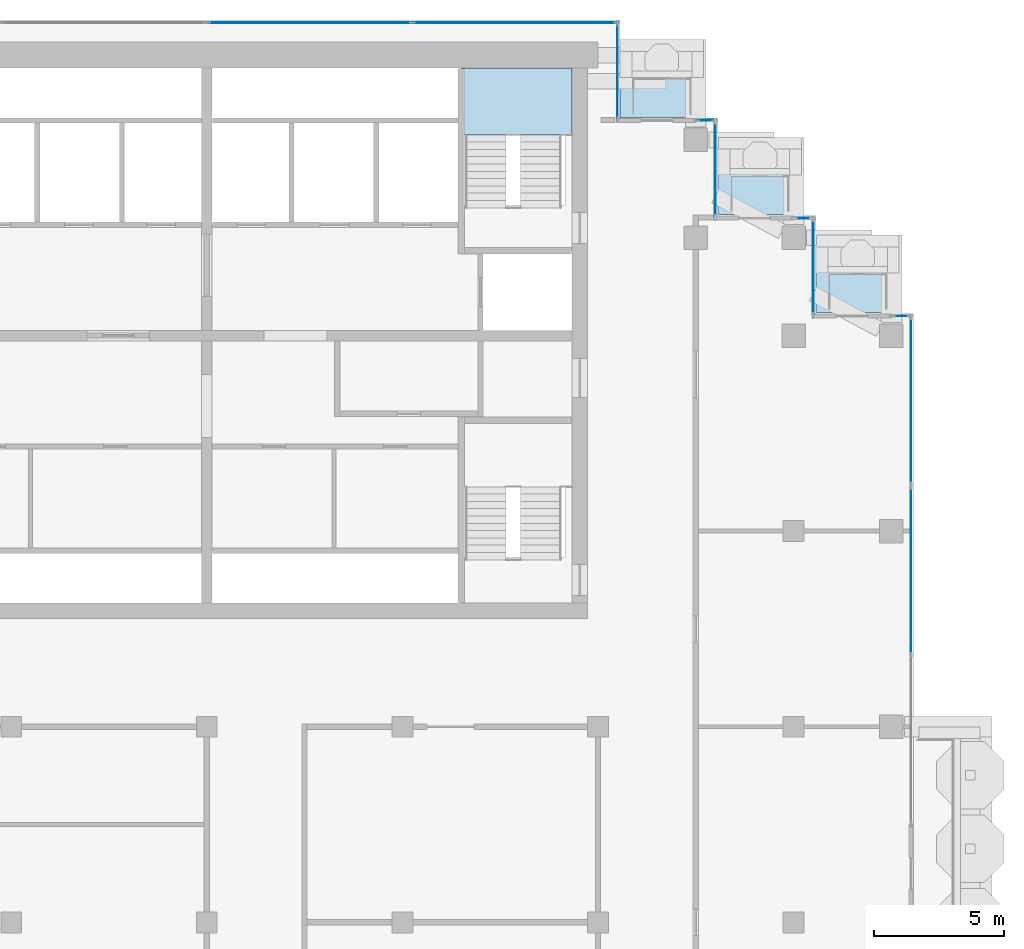
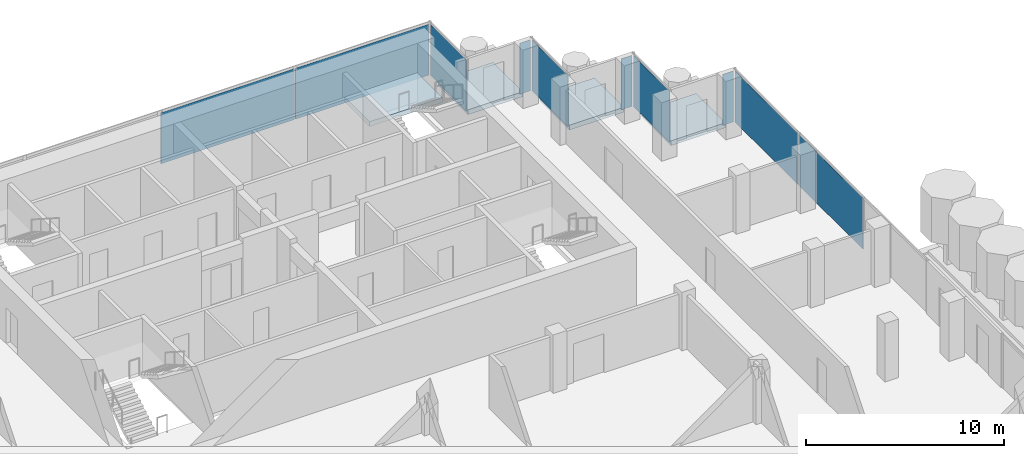
# One storey, part 10 of 18: 10 plates, 4 slabs, 10 elements without a shape of their own.
"""IFC4 building model written with IfcOpenShell, lengths in metres."""

from ifc_helpers import new_model, si_unit, direction, frame, origin, origin_2d, place, context, subcontext, project, spatial, polyline, rectangle, outline, extrude, material, layer, layer_set, type_object, element, aggregate, save


model = new_model("IFC4")

# Units and contexts
model_context = context("Model", 3, precision=1e-05, world=origin(), true_north=direction((0.0, 1.0)))
body_context = subcontext(model_context, "Body", "Model", "MODEL_VIEW")
ifc_project = project(units=[si_unit("LENGTHUNIT", "METRE"), si_unit("AREAUNIT", "SQUARE_METRE"), si_unit("VOLUMEUNIT", "CUBIC_METRE"), si_unit("PLANEANGLEUNIT", "RADIAN"), si_unit("MASSUNIT", "GRAM", prefix="KILO")], contexts=[model_context])

# Site, building, storey
site_placement = place(None, origin())
site = spatial("IfcSite", under=ifc_project, at=site_placement, CompositionType="ELEMENT")
building_placement = place(site_placement, origin())
building = spatial("IfcBuilding", under=site, at=building_placement, Name="Pilkhan Gate Tower", CompositionType="ELEMENT")
storey_placement = place(building_placement, frame((0.0, 0.0, 228.300048828125)))
storey = spatial("IfcBuildingStorey", under=building, at=storey_placement, Name="L59", CompositionType="ELEMENT", Elevation=228.300048828125)

# Slabs
ifc_material_1 = material(Name="Concrete C60/75", Category="concrete")
ifc_layer_1 = layer(ifc_material_1, 0.300048828125)
ifc_layer_set_1 = layer_set([ifc_layer_1], Name="Balcony tray slab TR300")
slab_type_1 = type_object("IfcSlabType", Name="Balcony tray slab TR300", PredefinedType="FLOOR", material=ifc_layer_set_1)
slab_1_placement = place(storey_placement, frame((0.0, 0.0, -0.300048828125)))
element("IfcSlab", 1, at=slab_1_placement, inside=storey, type_object=slab_type_1, Name="Balcony tray L59 N", PredefinedType="FLOOR", context=body_context, shape_type="SweptSolid", body=[
    extrude(outline(polyline([(94.050048828125, 90.85009765625), (94.050048828125, 93.85009765625), (90.85009765625, 93.85009765625), (90.85009765625, 90.85009765625), (94.050048828125, 90.85009765625)])), origin(), (0.0, 0.0, 1.0), 0.300048828125),
])
slab_2_placement = place(storey_placement, frame((0.0, 0.0, -0.300048828125)))
element("IfcSlab", 2, at=slab_2_placement, inside=storey, type_object=slab_type_1, Name="Balcony tray L59 N", PredefinedType="FLOOR", context=body_context, shape_type="SweptSolid", body=[
    extrude(outline(polyline([(97.800048828125, 87.1201171875), (97.800048828125, 90.10009765625), (94.6201171875, 90.10009765625), (94.6201171875, 87.1201171875), (97.800048828125, 87.1201171875)])), origin(), (0.0, 0.0, 1.0), 0.300048828125),
])
slab_3_placement = place(storey_placement, frame((0.0, 0.0, -0.300048828125)))
element("IfcSlab", 3, at=slab_3_placement, inside=storey, type_object=slab_type_1, Name="Balcony tray L59 N", PredefinedType="FLOOR", context=body_context, shape_type="SweptSolid", body=[
    extrude(outline(polyline([(101.550048828125, 83.3701171875), (101.550048828125, 86.35009765625), (98.3701171875, 86.35009765625), (98.3701171875, 83.3701171875), (101.550048828125, 83.3701171875)])), origin(), (0.0, 0.0, 1.0), 0.300048828125),
])

# Curtain wall, plate
ifc_material_2 = material(Name="Pale anodised aluminium, clear low-iron double glazing", Category="aluminium")
curtain_wall_type = type_object("IfcCurtainWallType", Name="Office unitised curtain wall CW-O2", PredefinedType="USERDEFINED", material=ifc_material_2)
curtain_wall_1_placement = place(storey_placement, origin())
curtain_wall_1 = element("IfcCurtainWall", 4, at=curtain_wall_1_placement, inside=storey, type_object=curtain_wall_type, Name="Office unitised curtain wall CW-O2 L59 E", ObjectType="UNITISED CURTAIN WALL", PredefinedType="USERDEFINED")
ifc_material_3 = material(Name="Clear low-iron double glazing", Category="glass")
ifc_layer_2 = layer(ifc_material_3, 0.031982421875)
ifc_layer_set_2 = layer_set([ifc_layer_2], Name="Glass panel CW-O2 32")
plate_type = type_object("IfcPlateType", Name="Glass panel CW-O2 32", PredefinedType="CURTAIN_PANEL", material=ifc_layer_set_2)
plate_1_placement = place(storey_placement, frame((102.0, 73.483642578125, 0.0), z_axis=(0.0, 0.0, 1.0), x_axis=(0.0, 1.0, 0.0)))
plate_1 = element("IfcPlate", 5, at=plate_1_placement, type_object=plate_type, Name="CW-O2 panel 2", PredefinedType="CURTAIN_PANEL", context=body_context, shape_type="SweptSolid", body=[
    extrude(rectangle(XDim=6.402587890625, YDim=0.031982421875, at=origin_2d()), origin(), (0.0, 0.0, 1.0), 3.135009765625),
])
aggregate(curtain_wall_1, [plate_1])

curtain_wall_2_placement = place(storey_placement, origin())
curtain_wall_2 = element("IfcCurtainWall", 6, at=curtain_wall_2_placement, inside=storey, type_object=curtain_wall_type, Name="Office unitised curtain wall CW-O2 L59 E", ObjectType="UNITISED CURTAIN WALL", PredefinedType="USERDEFINED")
plate_2_placement = place(storey_placement, frame((102.0, 80.0, 0.0), z_axis=(0.0, 0.0, 1.0), x_axis=(0.0, 1.0, 0.0)))
plate_2 = element("IfcPlate", 7, at=plate_2_placement, type_object=plate_type, Name="CW-O2 panel 1", PredefinedType="CURTAIN_PANEL", context=body_context, shape_type="SweptSolid", body=[
    extrude(rectangle(XDim=6.3701171875, YDim=0.031982421875, at=origin_2d()), origin(), (0.0, 0.0, 1.0), 3.135009765625),
])
aggregate(curtain_wall_2, [plate_2])

curtain_wall_3_placement = place(storey_placement, origin())
curtain_wall_3 = element("IfcCurtainWall", 8, at=curtain_wall_3_placement, inside=storey, type_object=curtain_wall_type, Name="Office unitised curtain wall CW-O2 L59 N", ObjectType="UNITISED CURTAIN WALL", PredefinedType="USERDEFINED")
plate_3_placement = place(storey_placement, frame((101.625, 83.25, 0.0), z_axis=(0.0, 0.0, 1.0), x_axis=(1.0, 0.0, 0.0)))
plate_3 = element("IfcPlate", 9, at=plate_3_placement, type_object=plate_type, Name="CW-O2 panel 1", PredefinedType="CURTAIN_PANEL", context=body_context, shape_type="SweptSolid", body=[
    extrude(rectangle(XDim=0.6201171875, YDim=0.031982421875, at=origin_2d()), origin(), (0.0, 0.0, 1.0), 3.135009765625),
])
aggregate(curtain_wall_3, [plate_3])

curtain_wall_4_placement = place(storey_placement, origin())
curtain_wall_4 = element("IfcCurtainWall", 10, at=curtain_wall_4_placement, inside=storey, type_object=curtain_wall_type, Name="Office unitised curtain wall CW-O2 L59 E", ObjectType="UNITISED CURTAIN WALL", PredefinedType="USERDEFINED")
plate_4_placement = place(storey_placement, frame((98.25, 85.125, 0.0), z_axis=(0.0, 0.0, 1.0), x_axis=(0.0, 1.0, 0.0)))
plate_4 = element("IfcPlate", 11, at=plate_4_placement, type_object=plate_type, Name="CW-O2 panel 1", PredefinedType="CURTAIN_PANEL", context=body_context, shape_type="SweptSolid", body=[
    extrude(rectangle(XDim=3.6201171875, YDim=0.031982421875, at=origin_2d()), origin(), (0.0, 0.0, 1.0), 3.135009765625),
])
aggregate(curtain_wall_4, [plate_4])

curtain_wall_5_placement = place(storey_placement, origin())
curtain_wall_5 = element("IfcCurtainWall", 12, at=curtain_wall_5_placement, inside=storey, type_object=curtain_wall_type, Name="Office unitised curtain wall CW-O2 L59 N", ObjectType="UNITISED CURTAIN WALL", PredefinedType="USERDEFINED")
plate_5_placement = place(storey_placement, frame((97.875, 87.0, 0.0), z_axis=(0.0, 0.0, 1.0), x_axis=(1.0, 0.0, 0.0)))
plate_5 = element("IfcPlate", 13, at=plate_5_placement, type_object=plate_type, Name="CW-O2 panel 1", PredefinedType="CURTAIN_PANEL", context=body_context, shape_type="SweptSolid", body=[
    extrude(rectangle(XDim=0.6201171875, YDim=0.031982421875, at=origin_2d()), origin(), (0.0, 0.0, 1.0), 3.135009765625),
])
aggregate(curtain_wall_5, [plate_5])

curtain_wall_6_placement = place(storey_placement, origin())
curtain_wall_6 = element("IfcCurtainWall", 14, at=curtain_wall_6_placement, inside=storey, type_object=curtain_wall_type, Name="Office unitised curtain wall CW-O2 L59 E", ObjectType="UNITISED CURTAIN WALL", PredefinedType="USERDEFINED")
plate_6_placement = place(storey_placement, frame((94.5, 88.875, 0.0), z_axis=(0.0, 0.0, 1.0), x_axis=(0.0, 1.0, 0.0)))
plate_6 = element("IfcPlate", 15, at=plate_6_placement, type_object=plate_type, Name="CW-O2 panel 1", PredefinedType="CURTAIN_PANEL", context=body_context, shape_type="SweptSolid", body=[
    extrude(rectangle(XDim=3.6201171875, YDim=0.031982421875, at=origin_2d()), origin(), (0.0, 0.0, 1.0), 3.135009765625),
])
aggregate(curtain_wall_6, [plate_6])

curtain_wall_7_placement = place(storey_placement, origin())
curtain_wall_7 = element("IfcCurtainWall", 16, at=curtain_wall_7_placement, inside=storey, type_object=curtain_wall_type, Name="Office unitised curtain wall CW-O2 L59 N", ObjectType="UNITISED CURTAIN WALL", PredefinedType="USERDEFINED")
plate_7_placement = place(storey_placement, frame((94.125, 90.75, 0.0), z_axis=(0.0, 0.0, 1.0), x_axis=(1.0, 0.0, 0.0)))
plate_7 = element("IfcPlate", 17, at=plate_7_placement, type_object=plate_type, Name="CW-O2 panel 1", PredefinedType="CURTAIN_PANEL", context=body_context, shape_type="SweptSolid", body=[
    extrude(rectangle(XDim=0.6201171875, YDim=0.031982421875, at=origin_2d()), origin(), (0.0, 0.0, 1.0), 3.135009765625),
])
aggregate(curtain_wall_7, [plate_7])

curtain_wall_8_placement = place(storey_placement, origin())
curtain_wall_8 = element("IfcCurtainWall", 18, at=curtain_wall_8_placement, inside=storey, type_object=curtain_wall_type, Name="Office unitised curtain wall CW-O2 L59 E", ObjectType="UNITISED CURTAIN WALL", PredefinedType="USERDEFINED")
plate_8_placement = place(storey_placement, frame((90.75, 92.625, 0.0), z_axis=(0.0, 0.0, 1.0), x_axis=(0.0, 1.0, 0.0)))
plate_8 = element("IfcPlate", 19, at=plate_8_placement, type_object=plate_type, Name="CW-O2 panel 1", PredefinedType="CURTAIN_PANEL", context=body_context, shape_type="SweptSolid", body=[
    extrude(rectangle(XDim=3.6201171875, YDim=0.031982421875, at=origin_2d()), origin(), (0.0, 0.0, 1.0), 3.135009765625),
])
aggregate(curtain_wall_8, [plate_8])

# Curtain wall, plates
curtain_wall_9_placement = place(storey_placement, origin())
curtain_wall_9 = element("IfcCurtainWall", 20, at=curtain_wall_9_placement, inside=storey, type_object=curtain_wall_type, Name="Office unitised curtain wall CW-O2 L59 N", ObjectType="UNITISED CURTAIN WALL", PredefinedType="USERDEFINED")
plate_9_placement = place(storey_placement, frame((78.953857421875, 94.5, 0.0), z_axis=(0.0, 0.0, 1.0), x_axis=(1.0, 0.0, 0.0)))
plate_9 = element("IfcPlate", 21, at=plate_9_placement, type_object=plate_type, Name="CW-O2 panel 1", PredefinedType="CURTAIN_PANEL", context=body_context, shape_type="SweptSolid", body=[
    extrude(rectangle(XDim=7.777587890625, YDim=0.031982421875, at=origin_2d()), origin(), (0.0, 0.0, 1.0), 3.135009765625),
])
plate_10_placement = place(storey_placement, frame((86.796142578125, 94.5, 0.0), z_axis=(0.0, 0.0, 1.0), x_axis=(1.0, 0.0, 0.0)))
plate_10 = element("IfcPlate", 22, at=plate_10_placement, type_object=plate_type, Name="CW-O2 panel 2", PredefinedType="CURTAIN_PANEL", context=body_context, shape_type="SweptSolid", body=[
    extrude(rectangle(XDim=7.777587890625, YDim=0.031982421875, at=origin_2d()), origin(), (0.0, 0.0, 1.0), 3.135009765625),
])
aggregate(curtain_wall_9, [plate_9, plate_10])

# Stair, slab
ifc_material_4 = material(Name="Concrete C40/50 precast", Category="concrete")
stair_type = type_object("IfcStairType", Name="Stair ST4 164x280", PredefinedType="HALF_TURN_STAIR", material=ifc_material_4)
stair_placement = place(storey_placement, origin())
stair = element("IfcStair", 23, at=stair_placement, inside=storey, type_object=stair_type, Name="Stair ST4 L59", PredefinedType="HALF_TURN_STAIR")
ifc_material_5 = material(Name="Concrete C40/50", Category="concrete")
ifc_layer_3 = layer(ifc_material_5, 0.199951171875)
ifc_layer_set_3 = layer_set([ifc_layer_3], Name="Stair landing SL200")
slab_type_2 = type_object("IfcSlabType", Name="Stair landing SL200", PredefinedType="LANDING", material=ifc_layer_set_3)
slab_4_placement = place(storey_placement, frame((0.0, 0.0, 1.5)))
slab_4 = element("IfcSlab", 24, at=slab_4_placement, type_object=slab_type_2, Name="ST4 landing 1", PredefinedType="LANDING", context=body_context, shape_type="SweptSolid", body=[
    extrude(outline(polyline([(89.0, 90.199951171875), (89.0, 92.75), (84.75, 92.75), (84.75, 90.199951171875), (89.0, 90.199951171875)])), origin(), (0.0, 0.0, 1.0), 0.300048828125),
])
aggregate(stair, [slab_4])

save(model, "model.ifc")
